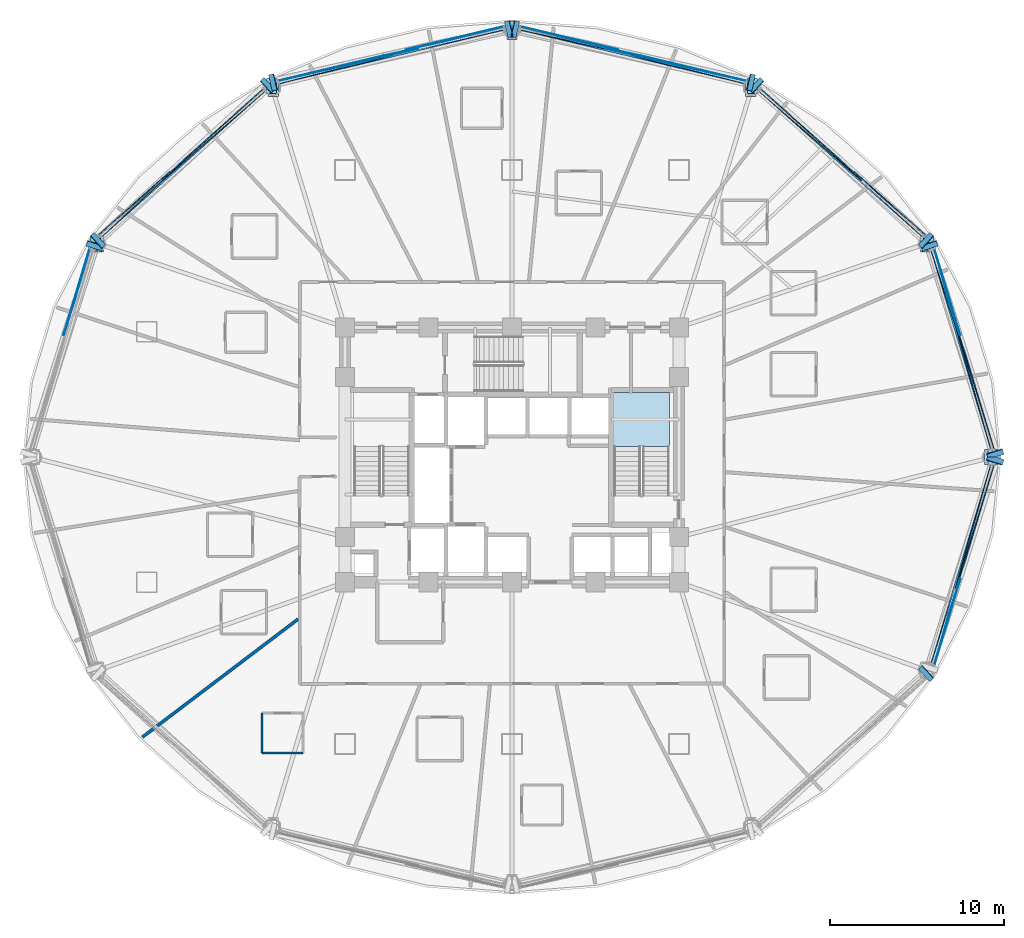
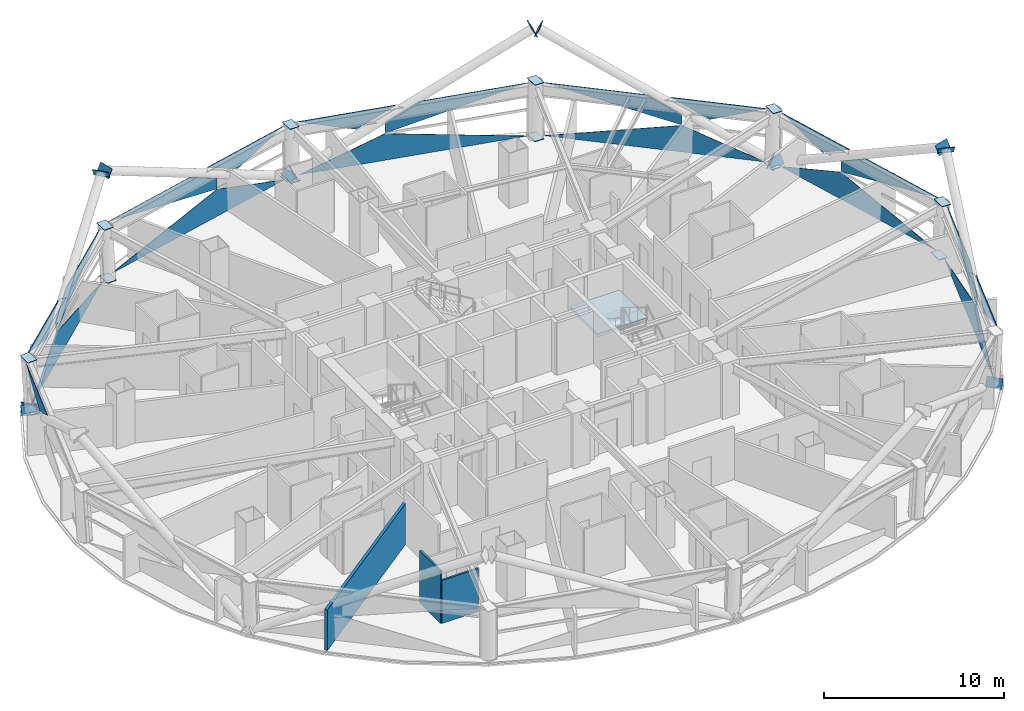
# One storey, part 6 of 16: 44 plates, 3 walls, 1 slab, 8 elements without a shape of their own.
"""IFC4 building model written with IfcOpenShell, lengths in metres."""

from ifc_helpers import new_model, si_unit, direction, frame, frame_2d, origin, place, context, subcontext, project, spatial, polyline, rectangle, outline, extrude, material, layer, layer_set, type_object, element, aggregate, save


model = new_model("IFC4")

# Units and contexts
model_context = context("Model", 3, precision=1e-05, world=origin(), true_north=direction((0.0, 1.0)))
body_context = subcontext(model_context, "Body", "Model", "MODEL_VIEW")
ifc_project = project(units=[si_unit("LENGTHUNIT", "METRE"), si_unit("AREAUNIT", "SQUARE_METRE"), si_unit("VOLUMEUNIT", "CUBIC_METRE"), si_unit("PLANEANGLEUNIT", "RADIAN"), si_unit("MASSUNIT", "GRAM", prefix="KILO")], contexts=[model_context])

# Site, building, storey
site_placement = place(None, origin())
site = spatial("IfcSite", under=ifc_project, at=site_placement, CompositionType="ELEMENT")
building_placement = place(site_placement, origin())
building = spatial("IfcBuilding", under=site, at=building_placement, Name="Vantalir Tower", CompositionType="ELEMENT")
storey_placement = place(building_placement, frame((0.0, 0.0, 64.5)))
storey = spatial("IfcBuildingStorey", under=building, at=storey_placement, Name="L15", CompositionType="ELEMENT", Elevation=64.5)

# Curtain wall, plates
ifc_material_1 = material(Name="Champagne-silver PVDF aluminium and double-silver Low-E glass", Category="aluminium")
ifc_layer_1 = layer(ifc_material_1, 0.18994140625)
ifc_layer_set_1 = layer_set([ifc_layer_1], Name="Champagne-silver PVDF aluminium and double-silver Low-E glass")
curtain_wall_type = type_object("IfcCurtainWallType", Name="CW-DIAMOND-Z1", PredefinedType="USERDEFINED", material=ifc_layer_set_1)
curtain_wall_1_placement = place(storey_placement, origin())
curtain_wall_1 = element("IfcCurtainWall", 1, at=curtain_wall_1_placement, inside=storey, type_object=curtain_wall_type, Name="L15 Quilted Pyramid-Diamond Curtain Wall S01", ObjectType="UNITISED CURTAIN WALL", PredefinedType="USERDEFINED")
ifc_material_2 = material(Name="Double-silver Low-E laminated glass IGU", Category="glass")
ifc_layer_2 = layer(ifc_material_2, 0.028076171875)
ifc_layer_set_2 = layer_set([ifc_layer_2], Name="Double-silver Low-E laminated glass IGU")
plate_type_1 = type_object("IfcPlateType", Name="CWP-IGU-28", PredefinedType="CURTAIN_PANEL", material=ifc_layer_set_2)
plate_1_placement = place(storey_placement, frame((59.00146484375, 25.46435546875, 0.04638671875), z_axis=(-0.955438822627, -0.287171657757, 0.068330777817), x_axis=(-0.287843084169, 0.957677585869, 2.0525035e-05)))
plate_1 = element("IfcPlate", 2, at=plate_1_placement, type_object=plate_type_1, Name="CW-L15-S01 Pyramid Diamond Facet 1L", PredefinedType="CURTAIN_PANEL", context=body_context, shape_type="SweptSolid", body=[
    extrude(outline(polyline([(0.0, 0.0), (11.894772927721332, 6.754579534584693e-17), (7.368923876916287, -1.7309452362101154), (0.0, 0.0)])), origin(), (0.0, 0.0, -1.0), 0.028076171875),
])
plate_2_placement = place(storey_placement, frame((59.200439453125, 25.46435546875, 3.523681640625), z_axis=(-0.956868029532, -0.287623310642, 0.040943927936), x_axis=(-0.287866437535, 0.957670565582, -4.4262389e-05)))
plate_2 = element("IfcPlate", 3, at=plate_2_placement, type_object=plate_type_1, Name="CW-L15-S01 Pyramid Diamond Facet 2U", PredefinedType="CURTAIN_PANEL", context=body_context, shape_type="SweptSolid", body=[
    extrude(outline(polyline([(0.0, 0.0), (5.606488315693612, -4.0657581468206416e-19), (7.426121405883699, 1.0080849964025071), (7.4261224991987325, 1.7281752696012331), (0.0, 0.0)])), origin(), (0.0, 0.0, -1.0), 0.028076171875),
])
plate_3_placement = place(storey_placement, frame((57.266845703125, 32.00830078125, 3.522216796875), z_axis=(-0.956852956278, -0.287665227019, 0.041001673455), x_axis=(-0.287907334685, 0.957658272368, 0.0)))
plate_3 = element("IfcPlate", 4, at=plate_3_placement, type_object=plate_type_1, Name="CW-L15-S01 Pyramid Diamond Facet 2U Infill Light", PredefinedType="CURTAIN_PANEL", context=body_context, shape_type="SweptSolid", body=[
    extrude(outline(polyline([(0.0, 0.0), (5.164218577047664, 6.938893903907228e-18), (2.0971439442157007, 1.162110056631643), (0.0, 0.0)])), origin(), (0.0, 0.0, -1.0), 0.028076171875),
])
aggregate(curtain_wall_1, [plate_1, plate_2, plate_3])

curtain_wall_2_placement = place(storey_placement, origin())
curtain_wall_2 = element("IfcCurtainWall", 5, at=curtain_wall_2_placement, inside=storey, type_object=curtain_wall_type, Name="L15 Quilted Pyramid-Diamond Curtain Wall S02", ObjectType="UNITISED CURTAIN WALL", PredefinedType="USERDEFINED")
plate_4_placement = place(storey_placement, frame((55.076171875, 37.642822265625, 0.04638671875), z_axis=(-0.664053211289, -0.744819055773, 0.065405708735), x_axis=(-0.746417318747, 0.665478163634, 0.0)))
plate_4 = element("IfcPlate", 6, at=plate_4_placement, type_object=plate_type_1, Name="CW-L15-S02 Pyramid Diamond Facet 1L", PredefinedType="CURTAIN_PANEL", context=body_context, shape_type="SweptSolid", body=[
    extrude(outline(polyline([(0.0, 0.0), (12.584202121696212, 0.0), (4.768091762348105, -1.731001421458065), (0.0, 0.0)])), origin(), (0.0, 0.0, -1.0), 0.028076171875),
])
plate_5_placement = place(storey_placement, frame((50.205078125, 42.227783203125, 3.523681640625), z_axis=(-0.664977751001, -0.745878162525, 0.038345238842), x_axis=(-0.746427120796, 0.665467169243, 3.5019e-08)))
plate_5 = element("IfcPlate", 7, at=plate_5_placement, type_object=plate_type_1, Name="CW-L15-S02 Pyramid Diamond Facet 2U", PredefinedType="CURTAIN_PANEL", context=body_context, shape_type="SweptSolid", body=[
    extrude(outline(polyline([(0.0, 0.0), (5.925694791277555, 1.3877787807814457e-17), (-1.9188642546636767, 1.7285661271042947), (-1.9188844424316203, 1.0117301294425791), (0.0, 0.0)])), origin(), (0.0, 0.0, -1.0), 0.028076171875),
])
plate_6_placement = place(storey_placement, frame((55.269287109375, 37.755615234375, 3.522216796875), z_axis=(-0.664972216594, -0.745880401537, 0.038397627029), x_axis=(-0.746429727362, 0.665464244069, 4.44621e-05)))
plate_6 = element("IfcPlate", 8, at=plate_6_placement, type_object=plate_type_1, Name="CW-L15-S02 Pyramid Diamond Facet 2U Infill Light", PredefinedType="CURTAIN_PANEL", context=body_context, shape_type="SweptSolid", body=[
    extrude(outline(polyline([(0.0, 0.0), (5.490982824312941, 6.2341624917916505e-19), (3.2725585788002416, 1.169464971811625), (0.0, 0.0)])), origin(), (0.0, 0.0, -1.0), 0.028076171875),
])
aggregate(curtain_wall_2, [plate_4, plate_5, plate_6])

curtain_wall_3_placement = place(storey_placement, origin())
curtain_wall_3 = element("IfcCurtainWall", 9, at=curtain_wall_3_placement, inside=storey, type_object=curtain_wall_type, Name="L15 Quilted Pyramid-Diamond Curtain Wall S03", ObjectType="UNITISED CURTAIN WALL", PredefinedType="USERDEFINED")
plate_7_placement = place(storey_placement, frame((44.849365234375, 46.45263671875, 0.046142578125), z_axis=(-0.231834465654, -0.970680747361, 0.06349541115), x_axis=(-0.972643142153, 0.232304364321, 1.8439781e-05)))
plate_7 = element("IfcPlate", 10, at=plate_7_placement, type_object=plate_type_1, Name="CW-L15-S03 Pyramid Diamond Facet 1L", PredefinedType="CURTAIN_PANEL", context=body_context, shape_type="SweptSolid", body=[
    extrude(outline(polyline([(0.0, 0.0), (13.239887260572155, -3.277001066337437e-17), (8.2038546401365, -1.7311251107263192), (0.0, 0.0)])), origin(), (0.0, 0.0, -1.0), 0.028076171875),
])
plate_8_placement = place(storey_placement, frame((44.9482421875, 46.606689453125, 3.523681640625), z_axis=(-0.232173462432, -0.972010709242, 0.035925818853), x_axis=(-0.972638584129, 0.232323448372, 3.35488e-07)))
plate_8 = element("IfcPlate", 11, at=plate_8_placement, type_object=plate_type_1, Name="CW-L15-S03 Pyramid Diamond Facet 2U", PredefinedType="CURTAIN_PANEL", context=body_context, shape_type="SweptSolid", body=[
    extrude(outline(polyline([(0.0, 0.0), (6.257657723972356, 6.938893903907228e-18), (8.26410109731613, 1.0067561901221824), (8.264195252114106, 1.7286556530630475), (0.0, 0.0)])), origin(), (0.0, 0.0, -1.0), 0.028076171875),
])
plate_9_placement = place(storey_placement, frame((37.58984375, 48.397216796875, 3.5224609375), z_axis=(-0.232156329139, -0.972019813494, 0.035789956905), x_axis=(-0.972642952505, 0.232305159094, 0.0)))
plate_9 = element("IfcPlate", 12, at=plate_9_placement, type_object=plate_type_1, Name="CW-L15-S03 Pyramid Diamond Facet 2U Infill Light", PredefinedType="CURTAIN_PANEL", context=body_context, shape_type="SweptSolid", body=[
    extrude(outline(polyline([(0.0, 0.0), (5.768653162291202, 0.0), (2.3318967122401646, 1.1701832900863727), (0.0, 0.0)])), origin(), (0.0, 0.0, -1.0), 0.028076171875),
])
aggregate(curtain_wall_3, [plate_7, plate_8, plate_9])

curtain_wall_4_placement = place(storey_placement, origin())
curtain_wall_4 = element("IfcCurtainWall", 13, at=curtain_wall_4_placement, inside=storey, type_object=curtain_wall_type, Name="L15 Quilted Pyramid-Diamond Curtain Wall S04", ObjectType="UNITISED CURTAIN WALL", PredefinedType="USERDEFINED")
plate_10_placement = place(storey_placement, frame((31.0283203125, 49.5283203125, 0.04638671875), z_axis=(0.231850847056, -0.97067572144, 0.063512428127), x_axis=(-0.97263916129, -0.232321031301, -1.8441104e-05)))
plate_10 = element("IfcPlate", 14, at=plate_10_placement, type_object=plate_type_1, Name="CW-L15-S04 Pyramid Diamond Facet 1L", PredefinedType="CURTAIN_PANEL", context=body_context, shape_type="SweptSolid", body=[
    extrude(outline(polyline([(0.0, 0.0), (13.238937415697356, -1.52059354691092e-17), (5.035793273136897, -1.7311269912867118), (0.0, 0.0)])), origin(), (0.0, 0.0, -1.0), 0.028076171875),
])
plate_11_placement = place(storey_placement, frame((24.13818359375, 48.060546875, 3.523681640625), z_axis=(0.232166960109, -0.972012551832, 0.035917985955), x_axis=(-0.972640151857, -0.23231688487, -5.77951e-07)))
plate_11 = element("IfcPlate", 15, at=plate_11_placement, type_object=plate_type_1, Name="CW-L15-S04 Pyramid Diamond Facet 2U", PredefinedType="CURTAIN_PANEL", context=body_context, shape_type="SweptSolid", body=[
    extrude(outline(polyline([(0.0, 0.0), (6.257657723435103, 0.0), (-2.0065375283140225, 1.7286556528630832), (-2.006680834653067, 1.0070022099105351), (0.0, 0.0)])), origin(), (0.0, 0.0, -1.0), 0.028076171875),
])
plate_12_placement = place(storey_placement, frame((31.02099609375, 49.7373046875, 3.5224609375), z_axis=(0.232154638285, -0.972012734026, 0.035992621652), x_axis=(-0.972642952505, -0.232305159094, 0.0)))
plate_12 = element("IfcPlate", 16, at=plate_12_placement, type_object=plate_type_1, Name="CW-L15-S04 Pyramid Diamond Facet 2U Infill Light", PredefinedType="CURTAIN_PANEL", context=body_context, shape_type="SweptSolid", body=[
    extrude(outline(polyline([(0.0, 0.0), (5.768653162291202, 6.938893903907228e-18), (3.4368131651777696, 1.1701918128915318), (0.0, 0.0)])), origin(), (0.0, 0.0, -1.0), 0.028076171875),
])
aggregate(curtain_wall_4, [plate_10, plate_11, plate_12])

curtain_wall_5_placement = place(storey_placement, origin())
curtain_wall_5 = element("IfcCurtainWall", 17, at=curtain_wall_5_placement, inside=storey, type_object=curtain_wall_type, Name="L15 Quilted Pyramid-Diamond Curtain Wall S05", ObjectType="UNITISED CURTAIN WALL", PredefinedType="USERDEFINED")
plate_13_placement = place(storey_placement, frame((17.31787109375, 46.017333984375, 0.04638671875), z_axis=(0.664012645913, -0.744850987973, 0.065453890508), x_axis=(-0.746451682789, -0.665439618043, 0.0)))
plate_13 = element("IfcPlate", 18, at=plate_13_placement, type_object=plate_type_1, Name="CW-L15-S05 Pyramid Diamond Facet 1L", PredefinedType="CURTAIN_PANEL", context=body_context, shape_type="SweptSolid", body=[
    extrude(outline(polyline([(0.0, 0.0), (12.584931061638851, 5.551115123125783e-17), (7.81666291296966, -1.7310069019521006), (0.0, 0.0)])), origin(), (0.0, 0.0, -1.0), 0.028076171875),
])
plate_14_placement = place(storey_placement, frame((17.218017578125, 46.171142578125, 3.523681640625), z_axis=(0.664983112446, -0.745869124258, 0.038427979906), x_axis=(-0.746420459961, -0.665474640352, 3.49823e-07)))
plate_14 = element("IfcPlate", 19, at=plate_14_placement, type_object=plate_type_1, Name="CW-L15-S05 Pyramid Diamond Facet 2U", PredefinedType="CURTAIN_PANEL", context=body_context, shape_type="SweptSolid", body=[
    extrude(outline(polyline([(0.0, 0.0), (5.925694791034493, 1.3877787807814457e-17), (7.844397000995418, 1.011736368688001), (7.844376812741348, 1.7285723643404352), (0.0, 0.0)])), origin(), (0.0, 0.0, -1.0), 0.028076171875),
])
plate_15_placement = place(storey_placement, frame((11.829345703125, 41.40966796875, 3.5224609375), z_axis=(0.664968658403, -0.745876419698, 0.038536344914), x_axis=(-0.746429727362, -0.665464244069, -4.44621e-05)))
plate_15 = element("IfcPlate", 20, at=plate_15_placement, type_object=plate_type_1, Name="CW-L15-S05 Pyramid Diamond Facet 2U Infill Light", PredefinedType="CURTAIN_PANEL", context=body_context, shape_type="SweptSolid", body=[
    extrude(outline(polyline([(0.0, 0.0), (5.490982824312941, -4.391018798566293e-18), (2.218242011692543, 1.1694712295184575), (0.0, 0.0)])), origin(), (0.0, 0.0, -1.0), 0.028076171875),
])
aggregate(curtain_wall_5, [plate_13, plate_14, plate_15])

# Curtain wall, plate
curtain_wall_6_placement = place(storey_placement, origin())
curtain_wall_6 = element("IfcCurtainWall", 21, at=curtain_wall_6_placement, inside=storey, type_object=curtain_wall_type, Name="L15 Quilted Pyramid-Diamond Curtain Wall S06", ObjectType="UNITISED CURTAIN WALL", PredefinedType="USERDEFINED")
plate_16_placement = place(storey_placement, frame((7.219970703125, 36.953857421875, 3.522216796875), z_axis=(0.956852956278, -0.287665227019, 0.041001673455), x_axis=(-0.287907334685, -0.957658272368, 0.0)))
plate_16 = element("IfcPlate", 22, at=plate_16_placement, type_object=plate_type_1, Name="CW-L15-S06 Pyramid Diamond Facet 2U Infill Light", PredefinedType="CURTAIN_PANEL", context=body_context, shape_type="SweptSolid", body=[
    extrude(outline(polyline([(0.0, 0.0), (5.164218577047664, -6.938893903907228e-18), (3.0670746328319636, 1.162110056631643), (0.0, 0.0)])), origin(), (0.0, 0.0, -1.0), 0.028076171875),
])
aggregate(curtain_wall_6, [plate_16])

# Curtain wall, plates
curtain_wall_7_placement = place(storey_placement, origin())
curtain_wall_7 = element("IfcCurtainWall", 23, at=curtain_wall_7_placement, inside=storey, type_object=curtain_wall_type, Name="L15 Quilted Pyramid-Diamond Curtain Wall S12", ObjectType="UNITISED CURTAIN WALL", PredefinedType="USERDEFINED")
plate_17_placement = place(storey_placement, frame((55.57763671875, 13.143310546875, 0.046630859375), z_axis=(-0.955444224539, 0.287148665041, 0.068351868745), x_axis=(0.287820454072, 0.957684387362, -2.0523421e-05)))
plate_17 = element("IfcPlate", 24, at=plate_17_placement, type_object=plate_type_1, Name="CW-L15-S12 Pyramid Diamond Facet 1L", PredefinedType="CURTAIN_PANEL", context=body_context, shape_type="SweptSolid", body=[
    extrude(outline(polyline([(0.0, 0.0), (11.895708163059952, -9.378348791999613e-18), (4.526080067099678, -1.7309477403044795), (0.0, 0.0)])), origin(), (0.0, 0.0, -1.0), 0.028076171875),
])
plate_18_placement = place(storey_placement, frame((57.58642578125, 19.166015625, 3.5234375), z_axis=(-0.956876196005, 0.287597927139, 0.040931379464), x_axis=(0.287840886533, 0.957678245589, 4.4324491e-05)))
plate_18 = element("IfcPlate", 25, at=plate_18_placement, type_object=plate_type_1, Name="CW-L15-S12 Pyramid Diamond Facet 2U", PredefinedType="CURTAIN_PANEL", context=body_context, shape_type="SweptSolid", body=[
    extrude(outline(polyline([(0.0, 0.0), (5.606955927414046, -2.087089182034596e-18), (-1.8198662104073133, 1.728174256952261), (-1.8198658616481693, 1.0080839850412908), (0.0, 0.0)])), origin(), (0.0, 0.0, -1.0), 0.028076171875),
])
plate_19_placement = place(storey_placement, frame((55.780029296875, 13.045166015625, 3.522216796875), z_axis=(-0.956861231591, 0.287639315879, 0.040990333471), x_axis=(0.287881267678, 0.957666108683, 0.0)))
plate_19 = element("IfcPlate", 26, at=plate_19_placement, type_object=plate_type_1, Name="CW-L15-S12 Pyramid Diamond Facet 2U Infill Light", PredefinedType="CURTAIN_PANEL", context=body_context, shape_type="SweptSolid", body=[
    extrude(outline(polyline([(0.0, 0.0), (5.164686185539218, 6.938893903907228e-18), (3.067309733861366, 1.1621095154642196), (0.0, 0.0)])), origin(), (0.0, 0.0, -1.0), 0.028076171875),
])
aggregate(curtain_wall_7, [plate_17, plate_18, plate_19])

# Plates
ifc_material_3 = material(Name="Steel S460", Category="steel")
ifc_layer_3 = layer(ifc_material_3, 0.0400390625)
ifc_layer_set_3 = layer_set([ifc_layer_3], Name="Steel S460")
plate_type_2 = type_object("IfcPlateType", Name="PLT-KN-Z1", PredefinedType="USERDEFINED", material=ifc_layer_set_3)
plate_20_placement = place(storey_placement, frame((55.50341796875, 37.904052734375, -0.087890625), z_axis=(-0.652389803525, 0.597484022883, 0.46626214371), x_axis=(-0.675406801047, -0.73744535514, -3.5801295e-05)))
element("IfcPlate", 27, at=plate_20_placement, inside=storey, type_object=plate_type_2, Name="Node Cap Plate MEM-DG-L15-R04L Start", ObjectType="FLANGE_PLATE", PredefinedType="USERDEFINED", context=body_context, shape_type="SweptSolid", body=[
    extrude(outline(polyline([(0.0, 0.0), (0.9498778801387932, -2.7755575615628914e-17), (0.949937874545569, 0.619879001337516), (-0.00012004596313143912, 0.6198021116941244), (0.0, 0.0)])), origin(), (0.0, 0.0, -1.0), 0.0400390625),
])
plate_21_placement = place(storey_placement, frame((45.7568359375, 46.82958984375, 6.878173828125), z_axis=(-0.652389803525, 0.597484022883, 0.46626214371), x_axis=(-0.675378972837, -0.7374708413, 3.579451e-05)))
element("IfcPlate", 28, at=plate_21_placement, inside=storey, type_object=plate_type_2, Name="Node Cap Plate MEM-DG-L15-R04L End", ObjectType="FLANGE_PLATE", PredefinedType="USERDEFINED", context=body_context, shape_type="SweptSolid", body=[
    extrude(outline(polyline([(0.0, 0.0), (0.9500579236200987, 0.0), (0.9499880391918908, 0.6198021193798032), (0.00011016216390643745, 0.619878994452), (0.0, 0.0)])), origin(), (0.0, 0.0, -1.0), 0.0400390625),
])
plate_22_placement = place(storey_placement, frame((55.0908203125, 36.84326171875, -0.08056640625), z_axis=(0.264141978226, -0.833901845301, 0.484599554006), x_axis=(0.953315431844, 0.301976302279, 1.6450009e-05)))
element("IfcPlate", 29, at=plate_22_placement, inside=storey, type_object=plate_type_2, Name="Node Cap Plate MEM-DG-L15-R04R Start", ObjectType="FLANGE_PLATE", PredefinedType="USERDEFINED", context=body_context, shape_type="SweptSolid", body=[
    extrude(outline(polyline([(0.0, 0.0), (0.9498703837612374, -2.7755575615628914e-17), (0.9500106945106459, 0.6198677415420127), (-9.243227594399259e-05, 0.6199034718396441), (0.0, 0.0)])), origin(), (0.0, 0.0, -1.0), 0.0400390625),
])
plate_23_placement = place(storey_placement, frame((58.8828125, 24.8701171875, 6.877685546875), z_axis=(0.264169892767, -0.833989972101, 0.484432651862), x_axis=(0.953320933073, 0.301958934783, -1.6442053e-05)))
element("IfcPlate", 30, at=plate_23_placement, inside=storey, type_object=plate_type_2, Name="Node Cap Plate MEM-DG-L15-R04R End", ObjectType="FLANGE_PLATE", PredefinedType="USERDEFINED", context=body_context, shape_type="SweptSolid", body=[
    extrude(outline(polyline([(0.0, 0.0), (0.9501031274583246, 0.0), (0.949987382623323, 0.6201170316821016), (0.00011699953342436739, 0.6200813224401526), (0.0, 0.0)])), origin(), (0.0, 0.0, -1.0), 0.0400390625),
])
plate_24_placement = place(storey_placement, frame((31.060791015625, 50.02880859375, -0.0947265625), z_axis=(-0.871726817096, -0.19703414359, 0.448631143162), x_axis=(0.220465920379, -0.975394678041, 0.0)))
element("IfcPlate", 31, at=plate_24_placement, inside=storey, type_object=plate_type_2, Name="Node Cap Plate MEM-DG-L15-R10L Start", ObjectType="FLANGE_PLATE", PredefinedType="USERDEFINED", context=body_context, shape_type="SweptSolid", body=[
    extrude(outline(polyline([(0.0, 0.0), (0.950136220100158, 1.3877787807814457e-17), (0.9501639479695239, 0.619832755492108), (2.7727869365869184e-05, 0.619832755492108), (0.0, 0.0)])), origin(), (0.0, 0.0, -1.0), 0.0400390625),
])
plate_25_placement = place(storey_placement, frame((17.503662109375, 46.963623046875, 6.878662109375), z_axis=(-0.871943064998, -0.197134953826, 0.448166376898), x_axis=(0.220521189443, -0.975382184073, 0.0)))
element("IfcPlate", 32, at=plate_25_placement, inside=storey, type_object=plate_type_2, Name="Node Cap Plate MEM-DG-L15-R10L End", ObjectType="FLANGE_PLATE", PredefinedType="USERDEFINED", context=body_context, shape_type="SweptSolid", body=[
    extrude(outline(polyline([(0.0, 0.0), (0.9498980881587907, -1.3877787807814457e-17), (0.9498877346624415, 0.6199441983026928), (-1.0353496349278836e-05, 0.6199441983026928), (0.0, 0.0)])), origin(), (0.0, 0.0, -1.0), 0.0400390625),
])
plate_26_placement = place(storey_placement, frame((31.729736328125, 49.10205078125, -0.0947265625), z_axis=(0.871726817096, -0.19703414359, 0.448631143162), x_axis=(0.220465920379, 0.975394678041, 0.0)))
element("IfcPlate", 33, at=plate_26_placement, inside=storey, type_object=plate_type_2, Name="Node Cap Plate MEM-DG-L15-R10R Start", ObjectType="FLANGE_PLATE", PredefinedType="USERDEFINED", context=body_context, shape_type="SweptSolid", body=[
    extrude(outline(polyline([(0.0, 0.0), (0.950136220100158, -1.3877787807814457e-17), (0.9501084922307922, 0.619832755492108), (-2.7727869365869184e-05, 0.619832755492108), (0.0, 0.0)])), origin(), (0.0, 0.0, -1.0), 0.0400390625),
])
plate_27_placement = place(storey_placement, frame((45.286865234375, 46.037109375, 6.878662109375), z_axis=(0.871943064998, -0.197134953826, 0.448166376898), x_axis=(0.220521189443, 0.975382184073, 0.0)))
element("IfcPlate", 34, at=plate_27_placement, inside=storey, type_object=plate_type_2, Name="Node Cap Plate MEM-DG-L15-R10R End", ObjectType="FLANGE_PLATE", PredefinedType="USERDEFINED", context=body_context, shape_type="SweptSolid", body=[
    extrude(outline(polyline([(0.0, 0.0), (0.9498980881587907, 1.3877787807814457e-17), (0.9499084416551401, 0.6199441983026929), (1.0353496349278836e-05, 0.6199441983026928), (0.0, 0.0)])), origin(), (0.0, 0.0, -1.0), 0.0400390625),
])
plate_28_placement = place(storey_placement, frame((7.003662109375, 37.130126953125, -0.08056640625), z_axis=(-0.264141978226, -0.833901845301, 0.484599554006), x_axis=(0.953315431844, -0.301976302279, -1.6450009e-05)))
element("IfcPlate", 35, at=plate_28_placement, inside=storey, type_object=plate_type_2, Name="Node Cap Plate MEM-DG-L15-R16L Start", ObjectType="FLANGE_PLATE", PredefinedType="USERDEFINED", context=body_context, shape_type="SweptSolid", body=[
    extrude(outline(polyline([(0.0, 0.0), (0.9498703837612374, 2.7755575615628914e-17), (0.9499628160371815, 0.6199034718396441), (-0.00014031074940848502, 0.6198677415420127), (0.0, 0.0)])), origin(), (0.0, 0.0, -1.0), 0.0400390625),
])
plate_29_placement = place(storey_placement, frame((8.13818359375, 37.20361328125, -0.087890625), z_axis=(0.652389803525, 0.597484022883, 0.46626214371), x_axis=(-0.675406801047, 0.73744535514, 3.5801295e-05)))
element("IfcPlate", 36, at=plate_29_placement, inside=storey, type_object=plate_type_2, Name="Node Cap Plate MEM-DG-L15-R16R Start", ObjectType="FLANGE_PLATE", PredefinedType="USERDEFINED", context=body_context, shape_type="SweptSolid", body=[
    extrude(outline(polyline([(0.0, 0.0), (0.9498778801387932, 2.7755575615628914e-17), (0.9499979261019245, 0.6198021116941244), (-5.9994406775852546e-05, 0.619879001337516), (0.0, 0.0)])), origin(), (0.0, 0.0, -1.0), 0.0400390625),
])
plate_30_placement = place(storey_placement, frame((17.884765625, 46.12890625, 6.878173828125), z_axis=(0.652389803525, 0.597484022883, 0.46626214371), x_axis=(-0.675378972837, 0.7374708413, -3.579451e-05)))
element("IfcPlate", 37, at=plate_30_placement, inside=storey, type_object=plate_type_2, Name="Node Cap Plate MEM-DG-L15-R16R End", ObjectType="FLANGE_PLATE", PredefinedType="USERDEFINED", context=body_context, shape_type="SweptSolid", body=[
    extrude(outline(polyline([(0.0, 0.0), (0.9500579236200987, 0.0), (0.9499477614561923, 0.619878994452), (6.988442820790937e-05, 0.6198021193798032), (0.0, 0.0)])), origin(), (0.0, 0.0, -1.0), 0.0400390625),
])
plate_31_placement = place(storey_placement, frame((59.78857421875, 24.843017578125, 6.877685546875), z_axis=(0.264169892767, 0.833989972101, 0.484432651862), x_axis=(-0.953320933073, 0.301958934783, 1.6442053e-05)))
element("IfcPlate", 38, at=plate_31_placement, inside=storey, type_object=plate_type_2, Name="Node Cap Plate MEM-DG-L15-R34L End", ObjectType="FLANGE_PLATE", PredefinedType="USERDEFINED", context=body_context, shape_type="SweptSolid", body=[
    extrude(outline(polyline([(0.0, 0.0), (0.9501031274583246, 0.0), (0.9499861279249002, 0.6200813224401526), (0.00011574483500158209, 0.6201170316821016), (0.0, 0.0)])), origin(), (0.0, 0.0, -1.0), 0.0400390625),
])
plate_32_placement = place(storey_placement, frame((54.86181640625, 12.79541015625, -0.087890625), z_axis=(-0.652413607484, -0.597288067478, 0.466479848673), x_axis=(0.675274200106, -0.737566778768, 3.9103522e-05)))
element("IfcPlate", 39, at=plate_32_placement, inside=storey, type_object=plate_type_2, Name="Node Cap Plate MEM-DG-L15-R34R Start", ObjectType="FLANGE_PLATE", PredefinedType="USERDEFINED", context=body_context, shape_type="SweptSolid", body=[
    extrude(outline(polyline([(0.0, 0.0), (0.950057923081679, 2.7755575615628914e-17), (0.9499477619945492, 0.6198789936269822), (5.4700778130381216e-05, 0.6199629869578609), (0.0, 0.0)])), origin(), (0.0, 0.0, -1.0), 0.0400390625),
])
ifc_layer_4 = layer(ifc_material_3, 0.035888671875)
ifc_layer_set_4 = layer_set([ifc_layer_4], Name="Steel S460")
plate_type_3 = type_object("IfcPlateType", Name="PLT-KN-Z2", PredefinedType="USERDEFINED", material=ifc_layer_set_4)
for number, where, z_axis, x_axis, name in (
    (40, (58.862060546875, 25.43994140625, 3.614013671875), (0.055563272425, 0.0, 0.998455168126), (0.0, -1.0, 0.0), "L15 Ring Column Top Cap RC01"),
    (41, (58.664306640625, 25.43994140625, 0.069091796875), (0.055563272425, 0.0, 0.998455168126), (0.0, -1.0, 0.0), "L15 Ring Column Base Cap RC01"),
):
    element("IfcPlate", number, at=place(storey_placement, frame(where, z_axis=z_axis, x_axis=x_axis)), inside=storey, type_object=plate_type_3, Name=name, ObjectType="FLANGE_PLATE", PredefinedType="USERDEFINED", context=body_context, shape_type="SweptSolid", body=[
        extrude(outline(polyline([(0.0, 0.0), (0.8798828125, 0.0), (0.8798828125, 0.5799975612194483), (0.0, 0.5799975612194483), (0.0, 0.0)])), origin(), (0.0, 0.0, -1.0), 0.035888671875),
    ])
for number, where, z_axis, x_axis, name in (
    (42, (55.15771484375, 37.7548828125, 3.7548828125), (0.046317004163, 0.023833286877, 0.998642433287), (1.53104e-07, -0.999715336278, 0.023858885342), "L15 Ring Column Top Cap RC02"),
    (43, (54.98583984375, 37.66650390625, 0.055908203125), (0.046317004163, 0.023833286877, 0.998642433287), (1.53104e-07, -0.999715336278, 0.023858885342), "L15 Ring Column Base Cap RC02"),
):
    element("IfcPlate", number, at=place(storey_placement, frame(where, z_axis=z_axis, x_axis=x_axis)), inside=storey, type_object=plate_type_3, Name=name, ObjectType="FLANGE_PLATE", PredefinedType="USERDEFINED", context=body_context, shape_type="SweptSolid", body=[
        extrude(outline(polyline([(0.0, 0.0), (0.880133285177424, -1.0842021724855044e-19), (0.8799807745817785, 0.579967994877145), (9.156053137547528e-05, 0.579968264632808), (0.0, 0.0)])), origin(), (0.0, 0.0, -1.0), 0.035888671875),
    ])
plate_33_placement = place(storey_placement, frame((45.035888671875, 46.77001953125, 3.741455078125), z_axis=(0.026537805743, 0.041321731739, 0.998793401737), x_axis=(-1.52131e-07, -0.999145290135, 0.041336293985)))
element("IfcPlate", 44, at=plate_33_placement, inside=storey, type_object=plate_type_3, Name="L15 Ring Column Top Cap RC03", ObjectType="FLANGE_PLATE", PredefinedType="USERDEFINED", context=body_context, shape_type="SweptSolid", body=[
    extrude(outline(polyline([(0.0, 0.0), (0.8799026605422359, 0.0), (0.8799985804731899, 0.5800384017347711), (-0.000148012024645417, 0.5800381338816247), (0.0, 0.0)])), origin(), (0.0, 0.0, -1.0), 0.035888671875),
])
plate_34_placement = place(storey_placement, frame((44.9375, 46.6171875, 0.04248046875), z_axis=(0.026537805743, 0.041321731739, 0.998793401737), x_axis=(1.52089e-07, -0.999145290469, 0.041336285916)))
element("IfcPlate", 45, at=plate_34_placement, inside=storey, type_object=plate_type_3, Name="L15 Ring Column Base Cap RC03", ObjectType="FLANGE_PLATE", PredefinedType="USERDEFINED", context=body_context, shape_type="SweptSolid", body=[
    extrude(outline(polyline([(0.0, 0.0), (0.8801465924978761, -2.168404344971009e-19), (0.8799987569950061, 0.5800381339266418), (9.609645281103167e-05, 0.580038401705553), (0.0, 0.0)])), origin(), (0.0, 0.0, -1.0), 0.035888671875),
])
plate_35_placement = place(storey_placement, frame((31.2099609375, 50.06982421875, 3.576171875), z_axis=(0.0, 0.049660871847, 0.998766137696), x_axis=(0.0, -0.998766137696, 0.049660871847)))
element("IfcPlate", 46, at=plate_35_placement, inside=storey, type_object=plate_type_3, Name="L15 Ring Column Top Cap RC04", ObjectType="FLANGE_PLATE", PredefinedType="USERDEFINED", context=body_context, shape_type="SweptSolid", body=[
    extrude(outline(polyline([(0.0, 0.0), (0.8799920390050758, 0.0), (0.8799920390050758, 0.5800781250000001), (0.0, 0.5800781250000001), (0.0, 0.0)])), origin(), (0.0, 0.0, -1.0), 0.035888671875),
])
plate_36_placement = place(storey_placement, frame((31.2099609375, 49.89306640625, 0.031005859375), z_axis=(0.0, 0.049937616944, 0.998752338878), x_axis=(0.0, -0.998752338878, 0.049937616944)))
element("IfcPlate", 47, at=plate_36_placement, inside=storey, type_object=plate_type_3, Name="L15 Ring Column Base Cap RC04", ObjectType="FLANGE_PLATE", PredefinedType="USERDEFINED", context=body_context, shape_type="SweptSolid", body=[
    extrude(outline(polyline([(0.0, 0.0), (0.8800041970239604, 0.0), (0.8800041970239604, 0.5800781249999999), (0.0, 0.5800781249999999), (0.0, 0.0)])), origin(), (0.0, 0.0, -1.0), 0.035888671875),
])
plate_37_placement = place(storey_placement, frame((17.38427734375, 46.76953125, 3.57080078125), z_axis=(-0.02800835185, 0.043119342705, 0.998677252425), x_axis=(4.047718e-06, -0.999069193202, 0.043136378838)))
element("IfcPlate", 48, at=plate_37_placement, inside=storey, type_object=plate_type_3, Name="L15 Ring Column Top Cap RC05", ObjectType="FLANGE_PLATE", PredefinedType="USERDEFINED", context=body_context, shape_type="SweptSolid", body=[
    extrude(outline(polyline([(0.0, 0.0), (0.8799749608929309, 2.168404344971009e-19), (0.8801845497471141, 0.5800579846766115), (-2.3793180573429616e-05, 0.5800651121981424), (0.0, 0.0)])), origin(), (0.0, 0.0, -1.0), 0.035888671875),
])
plate_38_placement = place(storey_placement, frame((17.483642578125, 46.616455078125, 0.02587890625), z_axis=(-0.028017422805, 0.04312530773, 0.998676740418), x_axis=(-3.881486e-06, -0.999068944647, 0.043142135176)))
element("IfcPlate", 49, at=plate_38_placement, inside=storey, type_object=plate_type_3, Name="L15 Ring Column Base Cap RC05", ObjectType="FLANGE_PLATE", PredefinedType="USERDEFINED", context=body_context, shape_type="SweptSolid", body=[
    extrude(outline(polyline([(0.0, 0.0), (0.879964428863501, 0.0), (0.8799361324017939, 0.580065113126058), (-3.882920955282875e-05, 0.5800582792626734), (0.0, 0.0)])), origin(), (0.0, 0.0, -1.0), 0.035888671875),
])
for number, where, z_axis, x_axis, name in (
    (50, (7.262939453125, 37.754150390625, 3.572998046875), (-0.048421454579, 0.024942103046, 0.998515525283), (0.0, -0.999688166104, 0.024971394657), "L15 Ring Column Top Cap RC06"),
    (51, (7.434814453125, 37.665771484375, 0.02783203125), (-0.048421454579, 0.024942103046, 0.998515525283), (0.0, -0.999688166104, 0.024971394657), "L15 Ring Column Base Cap RC06"),
):
    element("IfcPlate", number, at=place(storey_placement, frame(where, z_axis=z_axis, x_axis=x_axis)), inside=storey, type_object=plate_type_3, Name=name, ObjectType="FLANGE_PLATE", PredefinedType="USERDEFINED", context=body_context, shape_type="SweptSolid", body=[
        extrude(outline(polyline([(0.0, 0.0), (0.8799130585919809, 2.168404344971009e-19), (0.8798819662792975, 0.5800260775444723), (-3.1092312683349515e-05, 0.5800260775444723), (0.0, 0.0)])), origin(), (0.0, 0.0, -1.0), 0.035888671875),
    ])

# Stair, slab
ifc_material_4 = material(Name="Concrete C40/50", Category="concrete")
stair_type = type_object("IfcStairType", Name="STR-CORE-1450", PredefinedType="HALF_TURN_STAIR", material=ifc_material_4)
stair_placement = place(storey_placement, origin())
stair = element("IfcStair", 52, at=stair_placement, inside=storey, type_object=stair_type, Name="L15 Core Exit Stair 2", PredefinedType="HALF_TURN_STAIR")
ifc_layer_5 = layer(ifc_material_4, 0.199951171875)
ifc_layer_set_5 = layer_set([ifc_layer_5], Name="Concrete C40/50")
slab_type = type_object("IfcSlabType", Name="SL-LAND-200", PredefinedType="LANDING", material=ifc_layer_set_5)
slab_placement = place(storey_placement, frame((0.0, 0.0, 1.675048828125)))
slab = element("IfcSlab", 53, at=slab_placement, type_object=slab_type, Name="ST2 landing 1", PredefinedType="LANDING", context=body_context, shape_type="SweptSolid", body=[
    extrude(outline(polyline([(40.550048828125, 25.590087890625), (40.550048828125, 28.699951171875), (37.35009765625, 28.699951171875), (37.35009765625, 25.590087890625), (40.550048828125, 25.590087890625)])), origin(), (0.0, 0.0, 1.0), 0.199951171875),
])
aggregate(stair, [slab])

# Walls
ifc_material_5 = material(Name="Moisture-resistant en-suite partition", Category="gypsum")
ifc_layer_6 = layer(ifc_material_5, 0.125)
ifc_layer_set_6 = layer_set([ifc_layer_6], Name="Moisture-resistant en-suite partition")
wall_type_1 = type_object("IfcWallType", Name="WL-BATH-125", PredefinedType="PARTITIONING", material=ifc_layer_set_6)
wall_1_placement = place(storey_placement, frame((17.125, 7.97607421875, 0.0), z_axis=(0.0, 0.0, 1.0), x_axis=(1.0, 0.0, 0.0)))
element("IfcWall", 54, at=wall_1_placement, inside=storey, type_object=wall_type_1, Name="L15 En-suite 15 South Wall", PredefinedType="PARTITIONING", context=body_context, shape_type="SweptSolid", body=[
    extrude(rectangle(XDim=2.35009765625, YDim=0.125, at=frame_2d((1.175048828125, 0.0))), origin(), (0.0, 0.0, 1.0), 2.927978515625),
])
wall_2_placement = place(storey_placement, frame((17.125, 7.97607421875, 0.0), z_axis=(0.0, 0.0, 1.0), x_axis=(0.0, 1.0, 0.0)))
element("IfcWall", 55, at=wall_2_placement, inside=storey, type_object=wall_type_1, Name="L15 En-suite 15 West Wall", PredefinedType="PARTITIONING", context=body_context, shape_type="SweptSolid", body=[
    extrude(rectangle(XDim=2.2998046875, YDim=0.125, at=frame_2d((1.14990234375, 0.0))), origin(), (0.0, 0.0, 1.0), 3.550048828125),
])
ifc_material_6 = material(Name="Twin-stud acoustic fire-rated gypsum partition", Category="gypsum")
ifc_layer_7 = layer(ifc_material_6, 0.179931640625)
ifc_layer_set_7 = layer_set([ifc_layer_7], Name="Twin-stud acoustic fire-rated gypsum partition")
wall_type_2 = type_object("IfcWallType", Name="WL-GUEST-180", PredefinedType="PARTITIONING", material=ifc_layer_set_7)
wall_3_placement = place(storey_placement, frame((19.2099609375, 15.68505859375, 0.0), z_axis=(0.0, 0.0, 1.0), x_axis=(-0.796937326032, -0.604061998786, 0.0)))
element("IfcWall", 56, at=wall_3_placement, inside=storey, type_object=wall_type_2, Name="L15 Radial Suite Partition 15", PredefinedType="PARTITIONING", context=body_context, shape_type="SweptSolid", body=[
    extrude(rectangle(XDim=11.2490234375, YDim=0.179931640625, at=frame_2d((5.62451171875, 0.0))), origin(), (0.0, 0.0, 1.0), 2.77490234375),
])

save(model, "model.ifc")
